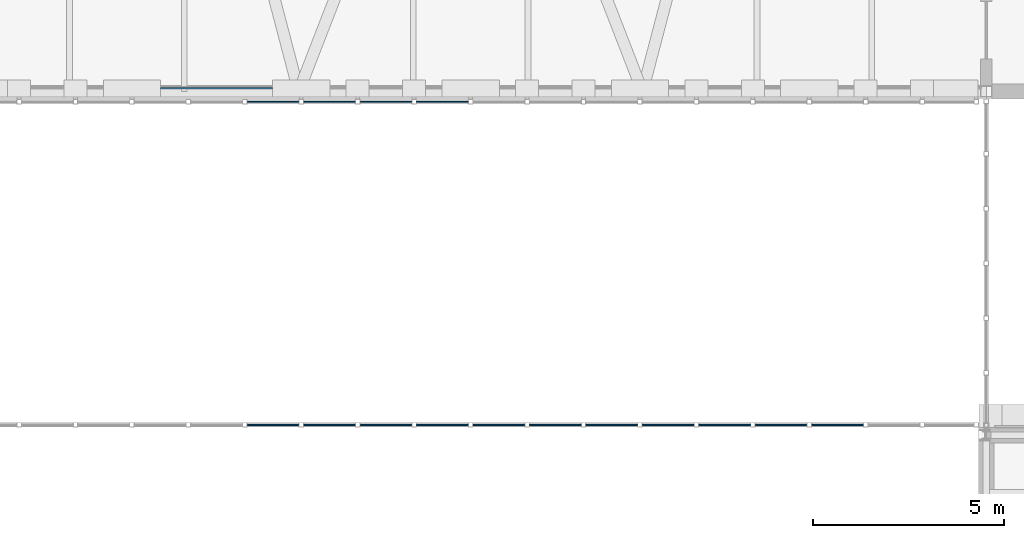
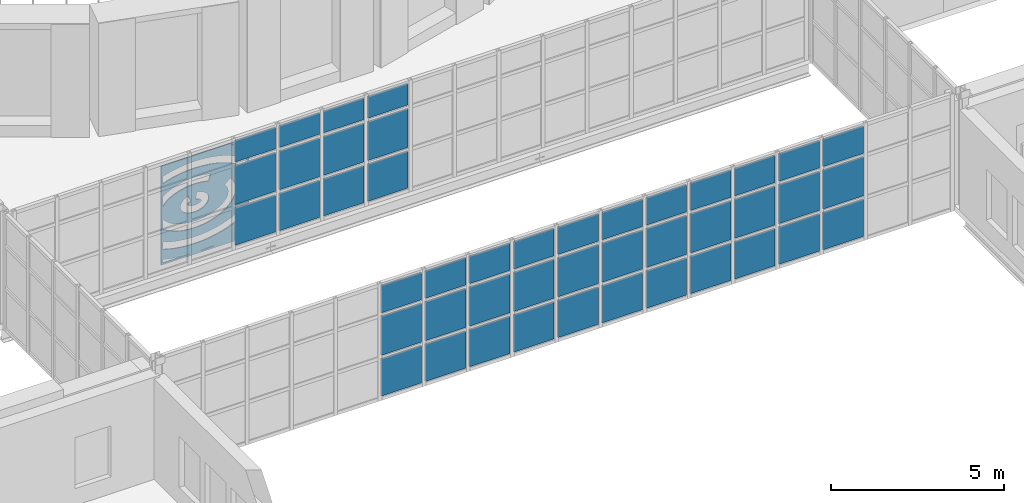
# One storey, part 94 of 154: 46 plates, 2 elements without a shape of their own.
"""IFC4 building model written with IfcOpenShell, lengths in metres."""

from ifc_helpers import new_model, si_unit, direction, frame, origin, origin_2d, place, context, subcontext, project, spatial, polyline, rectangle, outline, extrude, material, layer, layer_set, type_object, element, aggregate, save


model = new_model("IFC4")

# Units and contexts
model_context = context("Model", 3, precision=1e-05, world=origin(), true_north=direction((0.0, 1.0)))
body_context = subcontext(model_context, "Body", "Model", "MODEL_VIEW")
ifc_project = project(units=[si_unit("LENGTHUNIT", "METRE"), si_unit("AREAUNIT", "SQUARE_METRE"), si_unit("VOLUMEUNIT", "CUBIC_METRE"), si_unit("PLANEANGLEUNIT", "RADIAN"), si_unit("MASSUNIT", "GRAM", prefix="KILO")], contexts=[model_context])

# Site, building, storey
site_placement = place(None, origin())
site = spatial("IfcSite", under=ifc_project, at=site_placement, CompositionType="ELEMENT")
building_placement = place(site_placement, origin())
building = spatial("IfcBuilding", under=site, at=building_placement, Name="Golden Quay Civic Hall", CompositionType="ELEMENT")
storey_placement = place(building_placement, frame((0.0, 0.0, 14.39990234375)))
storey = spatial("IfcBuildingStorey", under=building, at=storey_placement, Name="L03", CompositionType="ELEMENT", Elevation=14.39990234375)

# Curtain wall, plates
ifc_material_1 = material(Name="Fire-resisting glass and steel", Category="steel")
curtain_wall_type_1 = type_object("IfcCurtainWallType", Name="Fire-resisting glazed curtain wall EI 120", PredefinedType="NOTDEFINED", material=ifc_material_1)
curtain_wall_1_placement = place(storey_placement, origin())
curtain_wall_1 = element("IfcCurtainWall", 1, at=curtain_wall_1_placement, inside=storey, type_object=curtain_wall_type_1, Name="CW3 curtain wall", PredefinedType="NOTDEFINED")
ifc_material_2 = material(Name="Fire-resisting laminated glass", Category="glass")
ifc_layer_1 = layer(ifc_material_2, 0.0400390625)
ifc_layer_set_1 = layer_set([ifc_layer_1], Name="Fire-resisting glazed panel 40")
plate_type_1 = type_object("IfcPlateType", Name="Fire-resisting glazed panel 40", PredefinedType="CURTAIN_PANEL", material=ifc_layer_set_1)
plate_1_placement = place(storey_placement, frame((80.327880859375, 54.27001953125, -0.080078125), z_axis=(0.0, 0.0, 1.0), x_axis=(1.0, 0.0, 0.0)))
plate_1 = element("IfcPlate", 2, at=plate_1_placement, type_object=plate_type_1, Name="CW3 panel 6.1", PredefinedType="CURTAIN_PANEL", context=body_context, shape_type="SweptSolid", body=[
    extrude(rectangle(XDim=1.357666015625, YDim=0.0400390625, at=origin_2d()), origin(), (0.0, 0.0, 1.0), 1.320068359375),
])
plate_2_placement = place(storey_placement, frame((80.327880859375, 54.27001953125, 1.360107421875), z_axis=(0.0, 0.0, 1.0), x_axis=(1.0, 0.0, 0.0)))
plate_2 = element("IfcPlate", 3, at=plate_2_placement, type_object=plate_type_1, Name="CW3 panel 6.2", PredefinedType="CURTAIN_PANEL", context=body_context, shape_type="SweptSolid", body=[
    extrude(rectangle(XDim=1.357666015625, YDim=0.0400390625, at=origin_2d()), origin(), (0.0, 0.0, 1.0), 1.3798828125),
])
plate_3_placement = place(storey_placement, frame((80.327880859375, 54.27001953125, 2.8603515625), z_axis=(0.0, 0.0, 1.0), x_axis=(1.0, 0.0, 0.0)))
plate_3 = element("IfcPlate", 4, at=plate_3_placement, type_object=plate_type_1, Name="CW3 panel 6.3", PredefinedType="CURTAIN_PANEL", context=body_context, shape_type="SweptSolid", body=[
    extrude(rectangle(XDim=1.357666015625, YDim=0.0400390625, at=origin_2d()), origin(), (0.0, 0.0, 1.0), 0.969970703125),
])
plate_4_placement = place(storey_placement, frame((81.8056640625, 54.27001953125, -0.080078125), z_axis=(0.0, 0.0, 1.0), x_axis=(1.0, 0.0, 0.0)))
plate_4 = element("IfcPlate", 5, at=plate_4_placement, type_object=plate_type_1, Name="CW3 panel 7.1", PredefinedType="CURTAIN_PANEL", context=body_context, shape_type="SweptSolid", body=[
    extrude(rectangle(XDim=1.357666015625, YDim=0.0400390625, at=origin_2d()), origin(), (0.0, 0.0, 1.0), 1.320068359375),
])
plate_5_placement = place(storey_placement, frame((81.8056640625, 54.27001953125, 1.360107421875), z_axis=(0.0, 0.0, 1.0), x_axis=(1.0, 0.0, 0.0)))
plate_5 = element("IfcPlate", 6, at=plate_5_placement, type_object=plate_type_1, Name="CW3 panel 7.2", PredefinedType="CURTAIN_PANEL", context=body_context, shape_type="SweptSolid", body=[
    extrude(rectangle(XDim=1.357666015625, YDim=0.0400390625, at=origin_2d()), origin(), (0.0, 0.0, 1.0), 1.3798828125),
])
plate_6_placement = place(storey_placement, frame((81.8056640625, 54.27001953125, 2.8603515625), z_axis=(0.0, 0.0, 1.0), x_axis=(1.0, 0.0, 0.0)))
plate_6 = element("IfcPlate", 7, at=plate_6_placement, type_object=plate_type_1, Name="CW3 panel 7.3", PredefinedType="CURTAIN_PANEL", context=body_context, shape_type="SweptSolid", body=[
    extrude(rectangle(XDim=1.357666015625, YDim=0.0400390625, at=origin_2d()), origin(), (0.0, 0.0, 1.0), 0.969970703125),
])
plate_7_placement = place(storey_placement, frame((83.283447265625, 54.27001953125, -0.080078125), z_axis=(0.0, 0.0, 1.0), x_axis=(1.0, 0.0, 0.0)))
plate_7 = element("IfcPlate", 8, at=plate_7_placement, type_object=plate_type_1, Name="CW3 panel 8.1", PredefinedType="CURTAIN_PANEL", context=body_context, shape_type="SweptSolid", body=[
    extrude(rectangle(XDim=1.357666015625, YDim=0.0400390625, at=origin_2d()), origin(), (0.0, 0.0, 1.0), 1.320068359375),
])
plate_8_placement = place(storey_placement, frame((83.283447265625, 54.27001953125, 1.360107421875), z_axis=(0.0, 0.0, 1.0), x_axis=(1.0, 0.0, 0.0)))
plate_8 = element("IfcPlate", 9, at=plate_8_placement, type_object=plate_type_1, Name="CW3 panel 8.2", PredefinedType="CURTAIN_PANEL", context=body_context, shape_type="SweptSolid", body=[
    extrude(rectangle(XDim=1.357666015625, YDim=0.0400390625, at=origin_2d()), origin(), (0.0, 0.0, 1.0), 1.3798828125),
])
plate_9_placement = place(storey_placement, frame((83.283447265625, 54.27001953125, 2.8603515625), z_axis=(0.0, 0.0, 1.0), x_axis=(1.0, 0.0, 0.0)))
plate_9 = element("IfcPlate", 10, at=plate_9_placement, type_object=plate_type_1, Name="CW3 panel 8.3", PredefinedType="CURTAIN_PANEL", context=body_context, shape_type="SweptSolid", body=[
    extrude(rectangle(XDim=1.357666015625, YDim=0.0400390625, at=origin_2d()), origin(), (0.0, 0.0, 1.0), 0.969970703125),
])
plate_10_placement = place(storey_placement, frame((84.76123046875, 54.27001953125, -0.080078125), z_axis=(0.0, 0.0, 1.0), x_axis=(1.0, 0.0, 0.0)))
plate_10 = element("IfcPlate", 11, at=plate_10_placement, type_object=plate_type_1, Name="CW3 panel 9.1", PredefinedType="CURTAIN_PANEL", context=body_context, shape_type="SweptSolid", body=[
    extrude(rectangle(XDim=1.357666015625, YDim=0.0400390625, at=origin_2d()), origin(), (0.0, 0.0, 1.0), 1.320068359375),
])
plate_11_placement = place(storey_placement, frame((84.76123046875, 54.27001953125, 1.360107421875), z_axis=(0.0, 0.0, 1.0), x_axis=(1.0, 0.0, 0.0)))
plate_11 = element("IfcPlate", 12, at=plate_11_placement, type_object=plate_type_1, Name="CW3 panel 9.2", PredefinedType="CURTAIN_PANEL", context=body_context, shape_type="SweptSolid", body=[
    extrude(rectangle(XDim=1.357666015625, YDim=0.0400390625, at=origin_2d()), origin(), (0.0, 0.0, 1.0), 1.3798828125),
])
plate_12_placement = place(storey_placement, frame((84.76123046875, 54.27001953125, 2.8603515625), z_axis=(0.0, 0.0, 1.0), x_axis=(1.0, 0.0, 0.0)))
plate_12 = element("IfcPlate", 13, at=plate_12_placement, type_object=plate_type_1, Name="CW3 panel 9.3", PredefinedType="CURTAIN_PANEL", context=body_context, shape_type="SweptSolid", body=[
    extrude(rectangle(XDim=1.357666015625, YDim=0.0400390625, at=origin_2d()), origin(), (0.0, 0.0, 1.0), 0.969970703125),
])
plate_13_placement = place(storey_placement, frame((86.23876953125, 54.27001953125, -0.080078125), z_axis=(0.0, 0.0, 1.0), x_axis=(1.0, 0.0, 0.0)))
plate_13 = element("IfcPlate", 14, at=plate_13_placement, type_object=plate_type_1, Name="CW3 panel 10.1", PredefinedType="CURTAIN_PANEL", context=body_context, shape_type="SweptSolid", body=[
    extrude(rectangle(XDim=1.357666015625, YDim=0.0400390625, at=origin_2d()), origin(), (0.0, 0.0, 1.0), 1.320068359375),
])
plate_14_placement = place(storey_placement, frame((86.23876953125, 54.27001953125, 1.360107421875), z_axis=(0.0, 0.0, 1.0), x_axis=(1.0, 0.0, 0.0)))
plate_14 = element("IfcPlate", 15, at=plate_14_placement, type_object=plate_type_1, Name="CW3 panel 10.2", PredefinedType="CURTAIN_PANEL", context=body_context, shape_type="SweptSolid", body=[
    extrude(rectangle(XDim=1.357666015625, YDim=0.0400390625, at=origin_2d()), origin(), (0.0, 0.0, 1.0), 1.3798828125),
])
plate_15_placement = place(storey_placement, frame((86.23876953125, 54.27001953125, 2.8603515625), z_axis=(0.0, 0.0, 1.0), x_axis=(1.0, 0.0, 0.0)))
plate_15 = element("IfcPlate", 16, at=plate_15_placement, type_object=plate_type_1, Name="CW3 panel 10.3", PredefinedType="CURTAIN_PANEL", context=body_context, shape_type="SweptSolid", body=[
    extrude(rectangle(XDim=1.357666015625, YDim=0.0400390625, at=origin_2d()), origin(), (0.0, 0.0, 1.0), 0.969970703125),
])
plate_16_placement = place(storey_placement, frame((87.716552734375, 54.27001953125, -0.080078125), z_axis=(0.0, 0.0, 1.0), x_axis=(1.0, 0.0, 0.0)))
plate_16 = element("IfcPlate", 17, at=plate_16_placement, type_object=plate_type_1, Name="CW3 panel 11.1", PredefinedType="CURTAIN_PANEL", context=body_context, shape_type="SweptSolid", body=[
    extrude(rectangle(XDim=1.357666015625, YDim=0.0400390625, at=origin_2d()), origin(), (0.0, 0.0, 1.0), 1.320068359375),
])
plate_17_placement = place(storey_placement, frame((87.716552734375, 54.27001953125, 1.360107421875), z_axis=(0.0, 0.0, 1.0), x_axis=(1.0, 0.0, 0.0)))
plate_17 = element("IfcPlate", 18, at=plate_17_placement, type_object=plate_type_1, Name="CW3 panel 11.2", PredefinedType="CURTAIN_PANEL", context=body_context, shape_type="SweptSolid", body=[
    extrude(rectangle(XDim=1.357666015625, YDim=0.0400390625, at=origin_2d()), origin(), (0.0, 0.0, 1.0), 1.3798828125),
])
plate_18_placement = place(storey_placement, frame((87.716552734375, 54.27001953125, 2.8603515625), z_axis=(0.0, 0.0, 1.0), x_axis=(1.0, 0.0, 0.0)))
plate_18 = element("IfcPlate", 19, at=plate_18_placement, type_object=plate_type_1, Name="CW3 panel 11.3", PredefinedType="CURTAIN_PANEL", context=body_context, shape_type="SweptSolid", body=[
    extrude(rectangle(XDim=1.357666015625, YDim=0.0400390625, at=origin_2d()), origin(), (0.0, 0.0, 1.0), 0.969970703125),
])
plate_19_placement = place(storey_placement, frame((89.1943359375, 54.27001953125, -0.080078125), z_axis=(0.0, 0.0, 1.0), x_axis=(1.0, 0.0, 0.0)))
plate_19 = element("IfcPlate", 20, at=plate_19_placement, type_object=plate_type_1, Name="CW3 panel 12.1", PredefinedType="CURTAIN_PANEL", context=body_context, shape_type="SweptSolid", body=[
    extrude(rectangle(XDim=1.357666015625, YDim=0.0400390625, at=origin_2d()), origin(), (0.0, 0.0, 1.0), 1.320068359375),
])
plate_20_placement = place(storey_placement, frame((89.1943359375, 54.27001953125, 1.360107421875), z_axis=(0.0, 0.0, 1.0), x_axis=(1.0, 0.0, 0.0)))
plate_20 = element("IfcPlate", 21, at=plate_20_placement, type_object=plate_type_1, Name="CW3 panel 12.2", PredefinedType="CURTAIN_PANEL", context=body_context, shape_type="SweptSolid", body=[
    extrude(rectangle(XDim=1.357666015625, YDim=0.0400390625, at=origin_2d()), origin(), (0.0, 0.0, 1.0), 1.3798828125),
])
plate_21_placement = place(storey_placement, frame((89.1943359375, 54.27001953125, 2.8603515625), z_axis=(0.0, 0.0, 1.0), x_axis=(1.0, 0.0, 0.0)))
plate_21 = element("IfcPlate", 22, at=plate_21_placement, type_object=plate_type_1, Name="CW3 panel 12.3", PredefinedType="CURTAIN_PANEL", context=body_context, shape_type="SweptSolid", body=[
    extrude(rectangle(XDim=1.357666015625, YDim=0.0400390625, at=origin_2d()), origin(), (0.0, 0.0, 1.0), 0.969970703125),
])
plate_22_placement = place(storey_placement, frame((90.672119140625, 54.27001953125, -0.080078125), z_axis=(0.0, 0.0, 1.0), x_axis=(1.0, 0.0, 0.0)))
plate_22 = element("IfcPlate", 23, at=plate_22_placement, type_object=plate_type_1, Name="CW3 panel 13.1", PredefinedType="CURTAIN_PANEL", context=body_context, shape_type="SweptSolid", body=[
    extrude(rectangle(XDim=1.357666015625, YDim=0.0400390625, at=origin_2d()), origin(), (0.0, 0.0, 1.0), 1.320068359375),
])
plate_23_placement = place(storey_placement, frame((90.672119140625, 54.27001953125, 1.360107421875), z_axis=(0.0, 0.0, 1.0), x_axis=(1.0, 0.0, 0.0)))
plate_23 = element("IfcPlate", 24, at=plate_23_placement, type_object=plate_type_1, Name="CW3 panel 13.2", PredefinedType="CURTAIN_PANEL", context=body_context, shape_type="SweptSolid", body=[
    extrude(rectangle(XDim=1.357666015625, YDim=0.0400390625, at=origin_2d()), origin(), (0.0, 0.0, 1.0), 1.3798828125),
])
plate_24_placement = place(storey_placement, frame((90.672119140625, 54.27001953125, 2.8603515625), z_axis=(0.0, 0.0, 1.0), x_axis=(1.0, 0.0, 0.0)))
plate_24 = element("IfcPlate", 25, at=plate_24_placement, type_object=plate_type_1, Name="CW3 panel 13.3", PredefinedType="CURTAIN_PANEL", context=body_context, shape_type="SweptSolid", body=[
    extrude(rectangle(XDim=1.357666015625, YDim=0.0400390625, at=origin_2d()), origin(), (0.0, 0.0, 1.0), 0.969970703125),
])
plate_25_placement = place(storey_placement, frame((92.14990234375, 54.27001953125, -0.080078125), z_axis=(0.0, 0.0, 1.0), x_axis=(1.0, 0.0, 0.0)))
plate_25 = element("IfcPlate", 26, at=plate_25_placement, type_object=plate_type_1, Name="CW3 panel 14.1", PredefinedType="CURTAIN_PANEL", context=body_context, shape_type="SweptSolid", body=[
    extrude(rectangle(XDim=1.357666015625, YDim=0.0400390625, at=origin_2d()), origin(), (0.0, 0.0, 1.0), 1.320068359375),
])
plate_26_placement = place(storey_placement, frame((92.14990234375, 54.27001953125, 1.360107421875), z_axis=(0.0, 0.0, 1.0), x_axis=(1.0, 0.0, 0.0)))
plate_26 = element("IfcPlate", 27, at=plate_26_placement, type_object=plate_type_1, Name="CW3 panel 14.2", PredefinedType="CURTAIN_PANEL", context=body_context, shape_type="SweptSolid", body=[
    extrude(rectangle(XDim=1.357666015625, YDim=0.0400390625, at=origin_2d()), origin(), (0.0, 0.0, 1.0), 1.3798828125),
])
plate_27_placement = place(storey_placement, frame((92.14990234375, 54.27001953125, 2.8603515625), z_axis=(0.0, 0.0, 1.0), x_axis=(1.0, 0.0, 0.0)))
plate_27 = element("IfcPlate", 28, at=plate_27_placement, type_object=plate_type_1, Name="CW3 panel 14.3", PredefinedType="CURTAIN_PANEL", context=body_context, shape_type="SweptSolid", body=[
    extrude(rectangle(XDim=1.357666015625, YDim=0.0400390625, at=origin_2d()), origin(), (0.0, 0.0, 1.0), 0.969970703125),
])
plate_28_placement = place(storey_placement, frame((93.627685546875, 54.27001953125, -0.080078125), z_axis=(0.0, 0.0, 1.0), x_axis=(1.0, 0.0, 0.0)))
plate_28 = element("IfcPlate", 29, at=plate_28_placement, type_object=plate_type_1, Name="CW3 panel 15.1", PredefinedType="CURTAIN_PANEL", context=body_context, shape_type="SweptSolid", body=[
    extrude(rectangle(XDim=1.357666015625, YDim=0.0400390625, at=origin_2d()), origin(), (0.0, 0.0, 1.0), 1.320068359375),
])
plate_29_placement = place(storey_placement, frame((93.627685546875, 54.27001953125, 1.360107421875), z_axis=(0.0, 0.0, 1.0), x_axis=(1.0, 0.0, 0.0)))
plate_29 = element("IfcPlate", 30, at=plate_29_placement, type_object=plate_type_1, Name="CW3 panel 15.2", PredefinedType="CURTAIN_PANEL", context=body_context, shape_type="SweptSolid", body=[
    extrude(rectangle(XDim=1.357666015625, YDim=0.0400390625, at=origin_2d()), origin(), (0.0, 0.0, 1.0), 1.3798828125),
])
plate_30_placement = place(storey_placement, frame((93.627685546875, 54.27001953125, 2.8603515625), z_axis=(0.0, 0.0, 1.0), x_axis=(1.0, 0.0, 0.0)))
plate_30 = element("IfcPlate", 31, at=plate_30_placement, type_object=plate_type_1, Name="CW3 panel 15.3", PredefinedType="CURTAIN_PANEL", context=body_context, shape_type="SweptSolid", body=[
    extrude(rectangle(XDim=1.357666015625, YDim=0.0400390625, at=origin_2d()), origin(), (0.0, 0.0, 1.0), 0.969970703125),
])
plate_31_placement = place(storey_placement, frame((95.10546875, 54.27001953125, -0.080078125), z_axis=(0.0, 0.0, 1.0), x_axis=(1.0, 0.0, 0.0)))
plate_31 = element("IfcPlate", 32, at=plate_31_placement, type_object=plate_type_1, Name="CW3 panel 16.1", PredefinedType="CURTAIN_PANEL", context=body_context, shape_type="SweptSolid", body=[
    extrude(rectangle(XDim=1.357666015625, YDim=0.0400390625, at=origin_2d()), origin(), (0.0, 0.0, 1.0), 1.320068359375),
])
plate_32_placement = place(storey_placement, frame((95.10546875, 54.27001953125, 1.360107421875), z_axis=(0.0, 0.0, 1.0), x_axis=(1.0, 0.0, 0.0)))
plate_32 = element("IfcPlate", 33, at=plate_32_placement, type_object=plate_type_1, Name="CW3 panel 16.2", PredefinedType="CURTAIN_PANEL", context=body_context, shape_type="SweptSolid", body=[
    extrude(rectangle(XDim=1.357666015625, YDim=0.0400390625, at=origin_2d()), origin(), (0.0, 0.0, 1.0), 1.3798828125),
])
plate_33_placement = place(storey_placement, frame((95.10546875, 54.27001953125, 2.8603515625), z_axis=(0.0, 0.0, 1.0), x_axis=(1.0, 0.0, 0.0)))
plate_33 = element("IfcPlate", 34, at=plate_33_placement, type_object=plate_type_1, Name="CW3 panel 16.3", PredefinedType="CURTAIN_PANEL", context=body_context, shape_type="SweptSolid", body=[
    extrude(rectangle(XDim=1.357666015625, YDim=0.0400390625, at=origin_2d()), origin(), (0.0, 0.0, 1.0), 0.969970703125),
])
aggregate(curtain_wall_1, [plate_1, plate_2, plate_3, plate_4, plate_5, plate_6, plate_7, plate_8, plate_9, plate_10, plate_11, plate_12, plate_13, plate_14, plate_15, plate_16, plate_17, plate_18, plate_19, plate_20, plate_21, plate_22, plate_23, plate_24, plate_25, plate_26, plate_27, plate_28, plate_29, plate_30, plate_31, plate_32, plate_33])

ifc_material_3 = material(Name="Glass and aluminium", Category="aluminium")
curtain_wall_type_2 = type_object("IfcCurtainWallType", Name="Glazed curtain wall 1500 module", PredefinedType="NOTDEFINED", material=ifc_material_3)
curtain_wall_2_placement = place(storey_placement, origin())
curtain_wall_2 = element("IfcCurtainWall", 35, at=curtain_wall_2_placement, inside=storey, type_object=curtain_wall_type_2, Name="CW1 curtain wall", PredefinedType="NOTDEFINED")
ifc_material_4 = material(Name="Laminated glass", Category="glass")
ifc_layer_2 = layer(ifc_material_4, 0.028076171875)
ifc_layer_set_2 = layer_set([ifc_layer_2], Name="Laminated glass panel 28")
plate_type_2 = type_object("IfcPlateType", Name="Laminated glass panel 28", PredefinedType="CURTAIN_PANEL", material=ifc_layer_set_2)
plate_34_placement = place(storey_placement, frame((80.327880859375, 62.72998046875, 0.1201171875), z_axis=(0.0, 0.0, 1.0), x_axis=(1.0, 0.0, 0.0)))
plate_34 = element("IfcPlate", 36, at=plate_34_placement, type_object=plate_type_2, Name="CW1 panel 6.1", PredefinedType="CURTAIN_PANEL", context=body_context, shape_type="SweptSolid", body=[
    extrude(rectangle(XDim=1.357666015625, YDim=0.028076171875, at=origin_2d()), origin(), (0.0, 0.0, 1.0), 1.320068359375),
])
plate_35_placement = place(storey_placement, frame((80.327880859375, 62.72998046875, 1.56005859375), z_axis=(0.0, 0.0, 1.0), x_axis=(1.0, 0.0, 0.0)))
plate_35 = element("IfcPlate", 37, at=plate_35_placement, type_object=plate_type_2, Name="CW1 panel 6.2", PredefinedType="CURTAIN_PANEL", context=body_context, shape_type="SweptSolid", body=[
    extrude(rectangle(XDim=1.357666015625, YDim=0.028076171875, at=origin_2d()), origin(), (0.0, 0.0, 1.0), 1.3798828125),
])
plate_36_placement = place(storey_placement, frame((80.327880859375, 62.72998046875, 3.06005859375), z_axis=(0.0, 0.0, 1.0), x_axis=(1.0, 0.0, 0.0)))
plate_36 = element("IfcPlate", 38, at=plate_36_placement, type_object=plate_type_2, Name="CW1 panel 6.3", PredefinedType="CURTAIN_PANEL", context=body_context, shape_type="SweptSolid", body=[
    extrude(rectangle(XDim=1.357666015625, YDim=0.028076171875, at=origin_2d()), origin(), (0.0, 0.0, 1.0), 0.77001953125),
])
plate_37_placement = place(storey_placement, frame((81.8056640625, 62.72998046875, 0.1201171875), z_axis=(0.0, 0.0, 1.0), x_axis=(1.0, 0.0, 0.0)))
plate_37 = element("IfcPlate", 39, at=plate_37_placement, type_object=plate_type_2, Name="CW1 panel 7.1", PredefinedType="CURTAIN_PANEL", context=body_context, shape_type="SweptSolid", body=[
    extrude(rectangle(XDim=1.357666015625, YDim=0.028076171875, at=origin_2d()), origin(), (0.0, 0.0, 1.0), 1.320068359375),
])
plate_38_placement = place(storey_placement, frame((81.8056640625, 62.72998046875, 1.56005859375), z_axis=(0.0, 0.0, 1.0), x_axis=(1.0, 0.0, 0.0)))
plate_38 = element("IfcPlate", 40, at=plate_38_placement, type_object=plate_type_2, Name="CW1 panel 7.2", PredefinedType="CURTAIN_PANEL", context=body_context, shape_type="SweptSolid", body=[
    extrude(rectangle(XDim=1.357666015625, YDim=0.028076171875, at=origin_2d()), origin(), (0.0, 0.0, 1.0), 1.3798828125),
])
plate_39_placement = place(storey_placement, frame((81.8056640625, 62.72998046875, 3.06005859375), z_axis=(0.0, 0.0, 1.0), x_axis=(1.0, 0.0, 0.0)))
plate_39 = element("IfcPlate", 41, at=plate_39_placement, type_object=plate_type_2, Name="CW1 panel 7.3", PredefinedType="CURTAIN_PANEL", context=body_context, shape_type="SweptSolid", body=[
    extrude(rectangle(XDim=1.357666015625, YDim=0.028076171875, at=origin_2d()), origin(), (0.0, 0.0, 1.0), 0.77001953125),
])
plate_40_placement = place(storey_placement, frame((83.283447265625, 62.72998046875, 0.1201171875), z_axis=(0.0, 0.0, 1.0), x_axis=(1.0, 0.0, 0.0)))
plate_40 = element("IfcPlate", 42, at=plate_40_placement, type_object=plate_type_2, Name="CW1 panel 8.1", PredefinedType="CURTAIN_PANEL", context=body_context, shape_type="SweptSolid", body=[
    extrude(rectangle(XDim=1.357666015625, YDim=0.028076171875, at=origin_2d()), origin(), (0.0, 0.0, 1.0), 1.320068359375),
])
plate_41_placement = place(storey_placement, frame((83.283447265625, 62.72998046875, 1.56005859375), z_axis=(0.0, 0.0, 1.0), x_axis=(1.0, 0.0, 0.0)))
plate_41 = element("IfcPlate", 43, at=plate_41_placement, type_object=plate_type_2, Name="CW1 panel 8.2", PredefinedType="CURTAIN_PANEL", context=body_context, shape_type="SweptSolid", body=[
    extrude(rectangle(XDim=1.357666015625, YDim=0.028076171875, at=origin_2d()), origin(), (0.0, 0.0, 1.0), 1.3798828125),
])
plate_42_placement = place(storey_placement, frame((83.283447265625, 62.72998046875, 3.06005859375), z_axis=(0.0, 0.0, 1.0), x_axis=(1.0, 0.0, 0.0)))
plate_42 = element("IfcPlate", 44, at=plate_42_placement, type_object=plate_type_2, Name="CW1 panel 8.3", PredefinedType="CURTAIN_PANEL", context=body_context, shape_type="SweptSolid", body=[
    extrude(rectangle(XDim=1.357666015625, YDim=0.028076171875, at=origin_2d()), origin(), (0.0, 0.0, 1.0), 0.77001953125),
])
plate_43_placement = place(storey_placement, frame((84.76123046875, 62.72998046875, 0.1201171875), z_axis=(0.0, 0.0, 1.0), x_axis=(1.0, 0.0, 0.0)))
plate_43 = element("IfcPlate", 45, at=plate_43_placement, type_object=plate_type_2, Name="CW1 panel 9.1", PredefinedType="CURTAIN_PANEL", context=body_context, shape_type="SweptSolid", body=[
    extrude(rectangle(XDim=1.357666015625, YDim=0.028076171875, at=origin_2d()), origin(), (0.0, 0.0, 1.0), 1.320068359375),
])
plate_44_placement = place(storey_placement, frame((84.76123046875, 62.72998046875, 1.56005859375), z_axis=(0.0, 0.0, 1.0), x_axis=(1.0, 0.0, 0.0)))
plate_44 = element("IfcPlate", 46, at=plate_44_placement, type_object=plate_type_2, Name="CW1 panel 9.2", PredefinedType="CURTAIN_PANEL", context=body_context, shape_type="SweptSolid", body=[
    extrude(rectangle(XDim=1.357666015625, YDim=0.028076171875, at=origin_2d()), origin(), (0.0, 0.0, 1.0), 1.3798828125),
])
plate_45_placement = place(storey_placement, frame((84.76123046875, 62.72998046875, 3.06005859375), z_axis=(0.0, 0.0, 1.0), x_axis=(1.0, 0.0, 0.0)))
plate_45 = element("IfcPlate", 47, at=plate_45_placement, type_object=plate_type_2, Name="CW1 panel 9.3", PredefinedType="CURTAIN_PANEL", context=body_context, shape_type="SweptSolid", body=[
    extrude(rectangle(XDim=1.357666015625, YDim=0.028076171875, at=origin_2d()), origin(), (0.0, 0.0, 1.0), 0.77001953125),
])
aggregate(curtain_wall_2, [plate_34, plate_35, plate_36, plate_37, plate_38, plate_39, plate_40, plate_41, plate_42, plate_43, plate_44, plate_45])

# Plate
ifc_material_5 = material(Name="Aluminium, golden anodised, perforated", Category="aluminium")
ifc_layer_3 = layer(ifc_material_5, 0.0400390625)
ifc_layer_set_3 = layer_set([ifc_layer_3], Name="Perforated panel 2934 x 3500 x 40")
plate_type_3 = type_object("IfcPlateType", Name="Perforated panel 2934 x 3500 x 40", PredefinedType="SHEET", material=ifc_layer_set_3)
plate_46_placement = place(storey_placement, frame((78.85009765625, 63.06005859375, 1.75), z_axis=(0.0, 1.0, 0.0), x_axis=(-1.0, 0.0, 0.0)))
element("IfcPlate", 48, at=plate_46_placement, inside=storey, type_object=plate_type_3, Name="Hall screen panel north L03 2", PredefinedType="SHEET", context=body_context, shape_type="SweptSolid", body=[
    extrude(outline(polyline([(-1.467041015625, -1.75), (1.467041015625, -1.75), (1.467041015625, 1.75), (-1.467041015625, 1.75), (-1.467041015625, -1.75)]), holes=[polyline([(0.258544921875, 0.164306640625), (0.1953125, 0.143798828125), (0.15087890625, 0.117431640625), (0.133544921875, 0.10107421875), (0.123779296875, 0.084716796875), (0.123779296875, 0.07568359375), (0.132568359375, 0.060302734375), (0.16064453125, 0.03515625), (0.2109375, 0.009765625), (0.27783203125, -0.00830078125), (0.327880859375, -0.013671875), (0.379150390625, -0.01318359375), (0.4521484375, -0.001953125), (0.494384765625, 0.01171875), (0.542724609375, 0.03759765625), (0.562744140625, 0.0546875), (0.572998046875, 0.068359375), (0.576904296875, 0.078857421875), (0.57373046875, 0.090087890625), (0.556640625, 0.111083984375), (0.532958984375, 0.12890625), (0.475830078125, 0.155029296875), (0.563720703125, 0.384521484375), (0.63427734375, 0.353759765625), (0.689208984375, 0.319580078125), (0.743896484375, 0.270751953125), (0.77587890625, 0.230224609375), (0.8037109375, 0.177490234375), (0.81884765625, 0.123779296875), (0.822021484375, 0.064697265625), (0.8125, 0.0087890625), (0.790283203125, -0.046142578125), (0.761474609375, -0.09033203125), (0.719482421875, -0.135009765625), (0.68115234375, -0.165283203125), (0.625, -0.198486328125), (0.5537109375, -0.227783203125), (0.508544921875, -0.24072265625), (0.431396484375, -0.2548828125), (0.35888671875, -0.259521484375), (0.279541015625, -0.256103515625), (0.201904296875, -0.243408203125), (0.156494140625, -0.231201171875), (0.084228515625, -0.202880859375), (0.027099609375, -0.1708984375), (-0.01171875, -0.141845703125), (-0.05517578125, -0.09814453125), (-0.085205078125, -0.055419921875), (-0.109619140625, -0.001220703125), (-0.121337890625, 0.05419921875), (-0.120361328125, 0.113037109375), (-0.107421875, 0.167724609375), (-0.08154296875, 0.221435546875), (-0.05078125, 0.26318359375), (-0.00634765625, 0.306396484375), (0.056640625, 0.3486328125), (0.12646484375, 0.380859375), (0.201416015625, 0.4033203125), (0.279541015625, 0.416015625), (0.310791015625, 0.172607421875), (0.258544921875, 0.164306640625)]), polyline([(-0.72265625, 0.27587890625), (-0.744873046875, 0.231201171875), (-0.760986328125, 0.18701171875), (-0.771484375, 0.14306640625), (-0.776611328125, 0.09912109375), (-0.776123046875, 0.05517578125), (-0.7705078125, 0.01123046875), (-0.75927734375, -0.03271484375), (-0.7421875, -0.0771484375), (-0.719482421875, -0.12158203125), (-0.6904296875, -0.165771484375), (-0.655517578125, -0.209716796875), (-0.6142578125, -0.25244140625), (-0.567138671875, -0.294189453125), (-0.51416015625, -0.333984375), (-0.45556640625, -0.371826171875), (-0.391845703125, -0.4072265625), (-0.3232421875, -0.43994140625), (-0.25048828125, -0.469482421875), (-0.173583984375, -0.49560546875), (-0.093505859375, -0.518310546875), (-0.010498046875, -0.537109375), (0.074951171875, -0.552001953125), (0.162109375, -0.562744140625), (0.25048828125, -0.569580078125), (0.339599609375, -0.572265625), (0.4287109375, -0.570556640625), (0.51708984375, -0.564697265625), (0.6044921875, -0.554931640625), (0.6904296875, -0.541015625), (0.774169921875, -0.52294921875), (0.85498046875, -0.501220703125), (0.9326171875, -0.475830078125), (1.006591796875, -0.447265625), (1.076171875, -0.415283203125), (1.14111328125, -0.380615234375), (1.20068359375, -0.34326171875), (1.255126953125, -0.3037109375), (1.3037109375, -0.262451171875), (1.34619140625, -0.2197265625), (1.3828125, -0.17626953125), (1.406982421875, -0.140869140625), (1.406982421875, -0.49658203125), (1.33447265625, -0.54931640625), (1.260498046875, -0.594970703125), (1.181884765625, -0.636962890625), (1.098876953125, -0.674560546875), (1.01220703125, -0.708251953125), (0.921875, -0.737548828125), (0.834716796875, -0.760986328125), (0.73291015625, -0.78271484375), (0.63525390625, -0.798583984375), (0.5361328125, -0.8095703125), (0.435791015625, -0.81591796875), (0.341064453125, -0.817626953125), (0.240478515625, -0.81494140625), (0.134521484375, -0.806884765625), (0.04150390625, -0.795166015625), (-0.0556640625, -0.7783203125), (-0.15087890625, -0.7568359375), (-0.243408203125, -0.73095703125), (-0.3330078125, -0.70068359375), (-0.425537109375, -0.6630859375), (-0.500732421875, -0.627197265625), (-0.578369140625, -0.58447265625), (-0.658203125, -0.53271484375), (-0.725830078125, -0.4814453125), (-0.780517578125, -0.43310546875), (-0.83642578125, -0.37548828125), (-0.8857421875, -0.314697265625), (-0.934814453125, -0.239501953125), (-0.968994140625, -0.171142578125), (-0.990966796875, -0.114013671875), (-1.010009765625, -0.042236328125), (-1.0205078125, 0.03076171875), (-1.022216796875, 0.1044921875), (-1.014404296875, 0.17822265625), (-0.998046875, 0.2509765625), (-0.967529296875, 0.33447265625), (-0.933349609375, 0.40185546875), (-0.891845703125, 0.46630859375), (-0.850341796875, 0.519287109375), (-0.656982421875, 0.368408203125), (-0.694580078125, 0.320068359375), (-0.72265625, 0.27587890625)]), polyline([(1.406982421875, 0.30078125), (1.368896484375, 0.353515625), (1.330078125, 0.39697265625), (1.28515625, 0.439208984375), (1.234130859375, 0.479736328125), (1.177490234375, 0.518310546875), (1.11572265625, 0.5546875), (1.049072265625, 0.58837890625), (0.9775390625, 0.618896484375), (0.902099609375, 0.646484375), (0.8232421875, 0.67041015625), (0.7412109375, 0.690673828125), (0.656494140625, 0.706787109375), (0.570068359375, 0.71923828125), (0.48193359375, 0.7275390625), (0.393310546875, 0.731689453125), (0.30419921875, 0.731689453125), (0.215087890625, 0.727294921875), (0.127197265625, 0.718994140625), (0.040771484375, 0.70654296875), (-0.043701171875, 0.68994140625), (-0.12890625, 0.6689453125), (-0.18798828125, 0.906982421875), (-0.09375, 0.930419921875), (-0.00341796875, 0.947998046875), (0.10107421875, 0.963134765625), (0.20068359375, 0.972412109375), (0.301025390625, 0.977294921875), (0.39599609375, 0.977294921875), (0.496337890625, 0.97265625), (0.601806640625, 0.962890625), (0.6943359375, 0.949462890625), (0.791015625, 0.930908203125), (0.891357421875, 0.90625), (0.9765625, 0.88037109375), (1.064697265625, 0.848388671875), (1.156005859375, 0.80908203125), (1.23681640625, 0.768310546875), (1.312744140625, 0.723388671875), (1.406982421875, 0.65576171875), (1.406982421875, 0.30078125)]), polyline([(-1.406982421875, -0.517578125), (-1.31005859375, -0.609619140625), (-1.232177734375, -0.672119140625), (-1.147216796875, -0.731689453125), (-1.055908203125, -0.787841796875), (-0.95849609375, -0.8408203125), (-0.85546875, -0.889892578125), (-0.7470703125, -0.935302734375), (-0.6337890625, -0.97607421875), (-0.516357421875, -1.012451171875), (-0.39501953125, -1.044189453125), (-0.2705078125, -1.0712890625), (-0.143310546875, -1.09326171875), (-0.013916015625, -1.1103515625), (0.116943359375, -1.1220703125), (0.248779296875, -1.128662109375), (0.38134765625, -1.130126953125), (0.513427734375, -1.126220703125), (0.64501953125, -1.1171875), (0.775390625, -1.102783203125), (0.90380859375, -1.08349609375), (1.02978515625, -1.05908203125), (1.15283203125, -1.02978515625), (1.272216796875, -0.995849609375), (1.406982421875, -0.949951171875), (1.406982421875, -1.209716796875), (1.342041015625, -1.231201171875), (1.212158203125, -1.26806640625), (1.078857421875, -1.2998046875), (0.947998046875, -1.324951171875), (0.804443359375, -1.3466796875), (0.664306640625, -1.36181640625), (0.523193359375, -1.37158203125), (0.381103515625, -1.37548828125), (0.243896484375, -1.374267578125), (0.102294921875, -1.3671875), (-0.03857421875, -1.3544921875), (-0.182861328125, -1.335693359375), (-0.31494140625, -1.312744140625), (-0.44970703125, -1.28369140625), (-0.581298828125, -1.249267578125), (-0.714599609375, -1.2080078125), (-0.838623046875, -1.162841796875), (-0.958251953125, -1.11279296875), (-1.072998046875, -1.05810546875), (-1.181884765625, -0.99853515625), (-1.285400390625, -0.9345703125), (-1.38232421875, -0.8662109375), (-1.406982421875, -0.846435546875), (-1.406982421875, -0.517578125)]), polyline([(1.406982421875, 1.109619140625), (1.2392578125, 1.165771484375), (1.11865234375, 1.198486328125), (0.994873046875, 1.2265625), (0.8681640625, 1.24951171875), (0.739013671875, 1.267333984375), (0.6083984375, 1.2802734375), (0.4765625, 1.287841796875), (0.34423828125, 1.290283203125), (0.2119140625, 1.287353515625), (0.080078125, 1.279296875), (-0.05029296875, 1.26611328125), (-0.17919921875, 1.24755859375), (-0.3056640625, 1.22412109375), (-0.42919921875, 1.19580078125), (-0.549560546875, 1.162841796875), (-0.666015625, 1.125), (-0.77783203125, 1.0830078125), (-0.884765625, 1.03662109375), (-0.986328125, 0.986328125), (-1.08203125, 0.9326171875), (-1.171630859375, 0.875244140625), (-1.254638671875, 0.81494140625), (-1.33056640625, 0.751953125), (-1.406982421875, 0.67822265625), (-1.406982421875, 1.00732421875), (-1.306884765625, 1.080078125), (-1.20556640625, 1.144775390625), (-1.09814453125, 1.205078125), (-0.985107421875, 1.2607421875), (-0.8671875, 1.311767578125), (-0.749755859375, 1.355712890625), (-0.622802734375, 1.397216796875), (-0.491943359375, 1.433349609375), (-0.352783203125, 1.465087890625), (-0.21630859375, 1.490234375), (-0.07763671875, 1.510009765625), (0.062744140625, 1.524169921875), (0.19921875, 1.53271484375), (0.34619140625, 1.53564453125), (0.48828125, 1.533203125), (0.625, 1.525146484375), (0.765380859375, 1.511474609375), (0.904296875, 1.4921875), (1.041259765625, 1.467529296875), (1.17529296875, 1.4375), (1.30615234375, 1.402099609375), (1.406982421875, 1.3701171875), (1.406982421875, 1.109619140625)]), polyline([(0.055419921875, -1.67919921875), (0.21875, -1.686279296875), (0.382568359375, -1.68798828125), (0.54638671875, -1.68408203125), (0.709228515625, -1.6748046875), (0.871337890625, -1.65966796875), (1.031494140625, -1.63916015625), (1.189697265625, -1.61328125), (1.406982421875, -1.56689453125), (1.406982421875, -1.68994140625), (-0.27490234375, -1.68994140625), (-0.270263671875, -1.647705078125), (-0.107177734375, -1.666259765625), (0.055419921875, -1.67919921875)]), polyline([(-0.943359375, 1.66455078125), (-1.087890625, 1.6181640625), (-1.227783203125, 1.56689453125), (-1.406982421875, 1.490478515625), (-1.406982421875, 1.68994140625), (-0.852294921875, 1.68994140625), (-0.943359375, 1.66455078125)])]), origin(), (0.0, 0.0, 1.0), 0.0400390625),
])

save(model, "model.ifc")
